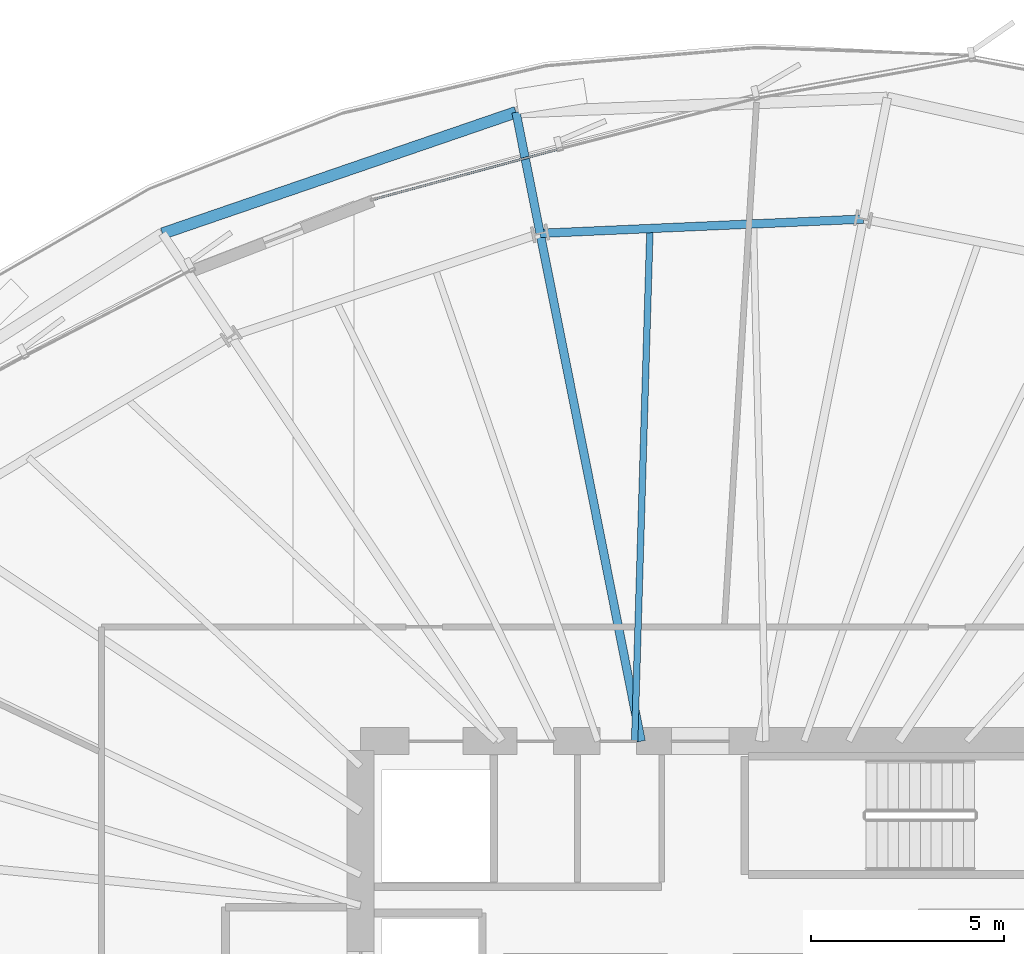
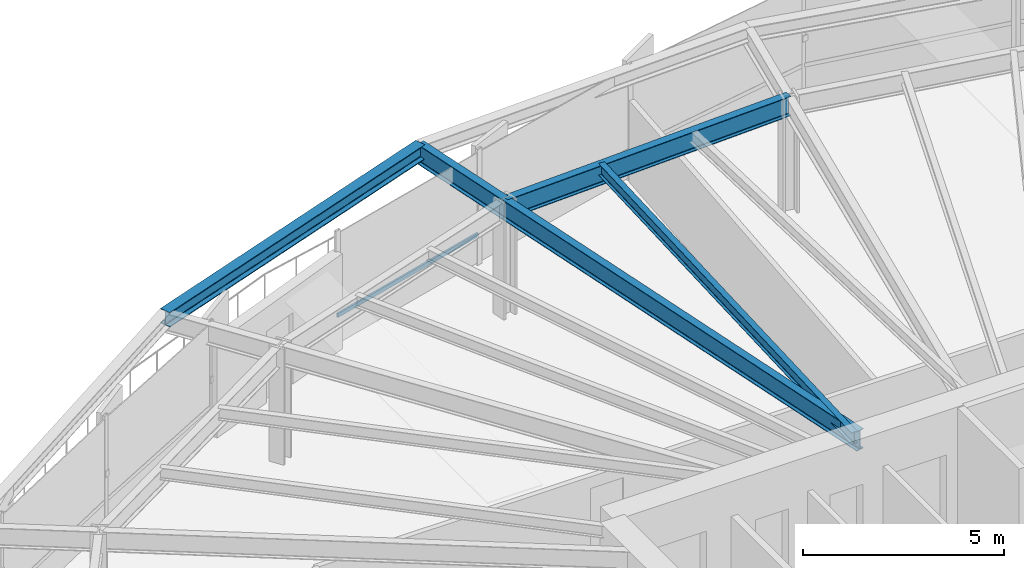
# One storey, part 22 of 38: 5 beams, 1 member, 1 element without a shape of its own.
"""IFC4 building model written with IfcOpenShell, lengths in metres."""

from ifc_helpers import new_model, si_unit, direction, frame, origin, origin_2d, place, context, subcontext, project, spatial, hollow_rectangle, i_section, extrude, source, transform, mapped, material, layer, layer_set, material_profile, profile_set, type_object, element, aggregate, save


model = new_model("IFC4")

# Units and contexts
model_context = context("Model", 3, precision=1e-05, world=origin(), true_north=direction((0.0, 1.0)))
body_context = subcontext(model_context, "Body", "Model", "MODEL_VIEW")
ifc_project = project(units=[si_unit("LENGTHUNIT", "METRE"), si_unit("AREAUNIT", "SQUARE_METRE"), si_unit("VOLUMEUNIT", "CUBIC_METRE"), si_unit("PLANEANGLEUNIT", "RADIAN"), si_unit("MASSUNIT", "GRAM", prefix="KILO"), si_unit("THERMODYNAMICTEMPERATUREUNIT", "KELVIN")], contexts=[model_context])

# Site, building, storey
site_placement = place(None, origin())
site = spatial("IfcSite", under=ifc_project, at=site_placement, CompositionType="ELEMENT")
building_placement = place(site_placement, origin())
building = spatial("IfcBuilding", under=site, at=building_placement, Name="Kethvar Cultural Tower", CompositionType="ELEMENT")
storey_placement = place(building_placement, frame((0.0, 0.0, 67.60009765625)))
storey = spatial("IfcBuildingStorey", under=building, at=storey_placement, Name="L16", CompositionType="ELEMENT", Elevation=67.60009765625)

# Beams
ifc_material_1 = material(Name="Steel S355J2", Category="steel")
ifc_material_profile_1 = material_profile(ifc_material_1, i_section(OverallWidth=0.219970703125, OverallDepth=0.60009765625, WebThickness=0.011962890625, FlangeThickness=0.01904296875, FilletRadius=0.02392578125, at=origin_2d()), Name="Steel S355J2 — IPE600")
ifc_profile_set_1 = profile_set([ifc_material_profile_1], Name="Steel S355J2 — IPE600")
beam_type_1 = type_object("IfcBeamType", Name="BM-IPE600", PredefinedType="BEAM", material=ifc_profile_set_1)
shared_shape_1 = source(origin(), body_context, "Body", "SweptSolid", [
    extrude(i_section(OverallWidth=0.219970703125, OverallDepth=0.60009765625, WebThickness=0.011962890625, FlangeThickness=0.01904296875, FilletRadius=0.02392578125, at=origin_2d()), origin(), (0.0, 0.0, 1.0), 3.199951171875),
])
beam_1_placement = place(storey_placement, frame((42.651611328125, 48.65576171875, 3.247802734375), z_axis=(-0.195162356126, 0.980770949178, 0.0), x_axis=(-0.980770949178, -0.195162356126, 0.0)))
element("IfcBeam", 1, at=beam_1_placement, inside=storey, type_object=beam_type_1, Name="L16 Perimeter Cantilever Beam RC-05", PredefinedType="BEAM", context=body_context, shape_type="MappedRepresentation", body=[
    mapped(shared_shape_1, transform((0.0, 0.0, 0.0), scale=1.0)),
])
shared_shape_2 = source(origin(), body_context, "Body", "SweptSolid", [
    extrude(i_section(OverallWidth=0.219970703125, OverallDepth=0.60009765625, WebThickness=0.011962890625, FlangeThickness=0.01904296875, FilletRadius=0.02392578125, at=origin_2d()), origin(), (0.0, 0.0, 1.0), 13.41357421875),
])
beam_2_placement = place(storey_placement, frame((45.268310546875, 35.5, 3.247802734375), z_axis=(-0.195079960025, 0.980787341474, 0.0), x_axis=(-0.980787341474, -0.195079960025, 0.0)))
element("IfcBeam", 2, at=beam_2_placement, inside=storey, type_object=beam_type_1, Name="L16 Primary Radial Beam RB-05", PredefinedType="BEAM", context=body_context, shape_type="MappedRepresentation", body=[
    mapped(shared_shape_2, transform((0.0, 0.0, 0.0), scale=1.0)),
])
shared_shape_3 = source(origin(), body_context, "Body", "SweptSolid", [
    extrude(i_section(OverallWidth=0.219970703125, OverallDepth=0.60009765625, WebThickness=0.011962890625, FlangeThickness=0.01904296875, FilletRadius=0.02392578125, at=origin_2d()), origin(), (0.0, 0.0, 1.0), 8.378662109375),
])
beam_3_placement = place(storey_placement, frame((51.022216796875, 49.02587890625, 3.247802734375), z_axis=(-0.999023890534, -0.04417313825, 0.0), x_axis=(0.04417313825, -0.999023890534, 0.0)))
element("IfcBeam", 3, at=beam_3_placement, inside=storey, type_object=beam_type_1, Name="L16 Column Ring Tie Beam CR-04", PredefinedType="BEAM", context=body_context, shape_type="MappedRepresentation", body=[
    mapped(shared_shape_3, transform((0.0, 0.0, 0.0), scale=1.0)),
])
ifc_material_profile_2 = material_profile(ifc_material_1, i_section(OverallWidth=0.169921875, OverallDepth=0.360107421875, WebThickness=0.008056640625, FlangeThickness=0.0126953125, FilletRadius=0.01806640625, at=origin_2d()), Name="Steel S355J2 — IPE360")
ifc_profile_set_2 = profile_set([ifc_material_profile_2], Name="Steel S355J2 — IPE360")
beam_type_2 = type_object("IfcBeamType", Name="BM-J360", PredefinedType="JOIST", material=ifc_profile_set_2)
shared_shape_4 = source(origin(), body_context, "Body", "SweptSolid", [
    extrude(i_section(OverallWidth=0.169921875, OverallDepth=0.360107421875, WebThickness=0.008056640625, FlangeThickness=0.0126953125, FilletRadius=0.01806640625, at=origin_2d()), origin(), (0.0, 0.0, 1.0), 13.287353515625),
])
beam_4_placement = place(storey_placement, frame((45.10009765625, 35.5, 3.367919921875), z_axis=(0.029912529234, 0.999552520178, 0.0), x_axis=(-0.999552520178, 0.029912529234, 0.0)))
element("IfcBeam", 4, at=beam_4_placement, inside=storey, type_object=beam_type_2, Name="L16 Composite Floor Joist J-04B", PredefinedType="JOIST", context=body_context, shape_type="MappedRepresentation", body=[
    mapped(shared_shape_4, transform((0.0, 0.0, 0.0), scale=1.0)),
])
ifc_material_profile_3 = material_profile(ifc_material_1, i_section(OverallWidth=0.300048828125, OverallDepth=0.449951171875, WebThickness=0.013916015625, FlangeThickness=0.02587890625, FilletRadius=0.027099609375, at=origin_2d()), Name="Steel S355J2 — HEB450")
ifc_profile_set_3 = profile_set([ifc_material_profile_3], Name="Steel S355J2 — HEB450")
beam_type_3 = type_object("IfcBeamType", Name="BM-SP450", PredefinedType="SPANDREL", material=ifc_profile_set_3)
shared_shape_5 = source(origin(), body_context, "Body", "SweptSolid", [
    extrude(i_section(OverallWidth=0.300048828125, OverallDepth=0.449951171875, WebThickness=0.013916015625, FlangeThickness=0.02587890625, FilletRadius=0.027099609375, at=origin_2d()), origin(), (0.0, 0.0, 1.0), 9.683349609375),
])
beam_5_placement = place(storey_placement, frame((42.027099609375, 51.794189453125, 3.322998046875), z_axis=(-0.945832074112, -0.324656260652, 0.0), x_axis=(0.324656260652, -0.945832074112, 0.0)))
element("IfcBeam", 5, at=beam_5_placement, inside=storey, type_object=beam_type_3, Name="L16 Perimeter Spandrel Beam SP-05", PredefinedType="SPANDREL", context=body_context, shape_type="MappedRepresentation", body=[
    mapped(shared_shape_5, transform((0.0, 0.0, 0.0), scale=1.0)),
])

# Curtain wall, member
ifc_material_2 = material(Name="Aluminium 6063-T6", Category="aluminium")
ifc_layer = layer(ifc_material_2, 0.179931640625, Name="Aluminium 6063-T6", Category="aluminium")
ifc_layer_set = layer_set([ifc_layer], Name="Aluminium 6063-T6 (180 mm)")
curtain_wall_type = type_object("IfcCurtainWallType", Name="CW-SYS-02-Z1", PredefinedType="NOTDEFINED", material=ifc_layer_set)
curtain_wall_placement = place(storey_placement, origin())
curtain_wall = element("IfcCurtainWall", 6, at=curtain_wall_placement, inside=storey, type_object=curtain_wall_type, Name="L16 Curtain Wall Run 02", PredefinedType="NOTDEFINED")
ifc_material_profile_4 = material_profile(ifc_material_2, hollow_rectangle(XDim=0.054931640625, YDim=0.1201171875, WallThickness=0.00390625, at=origin_2d()), Name="Aluminium 6063-T6 — RHS120x55x4")
ifc_profile_set_4 = profile_set([ifc_material_profile_4], Name="Aluminium 6063-T6 — RHS120x55x4")
member_type = type_object("IfcMemberType", Name="CW-SYS-02-Z1-TRN", PredefinedType="USERDEFINED", material=ifc_profile_set_4)
shared_shape_6 = source(origin(), body_context, "Body", "SweptSolid", [
    extrude(hollow_rectangle(XDim=0.054931640625, YDim=0.1201171875, WallThickness=0.00390625, at=origin_2d()), origin(), (0.0, 0.0, 1.0), 4.952880859375),
])
member_placement = place(storey_placement, frame((43.117919921875, 50.83349609375, 0.949951171875), z_axis=(-0.965203824763, -0.261498712546, 0.0), x_axis=(0.261498712546, -0.965203824763, 0.0)))
member = element("IfcMember", 7, at=member_placement, type_object=member_type, Name="CW-L16-R02 Transom 4", ObjectType="TRANSOM", PredefinedType="USERDEFINED", context=body_context, shape_type="MappedRepresentation", body=[
    mapped(shared_shape_6, transform((0.0, 0.0, 0.0), scale=1.0)),
])
aggregate(curtain_wall, [member])

save(model, "model.ifc")
